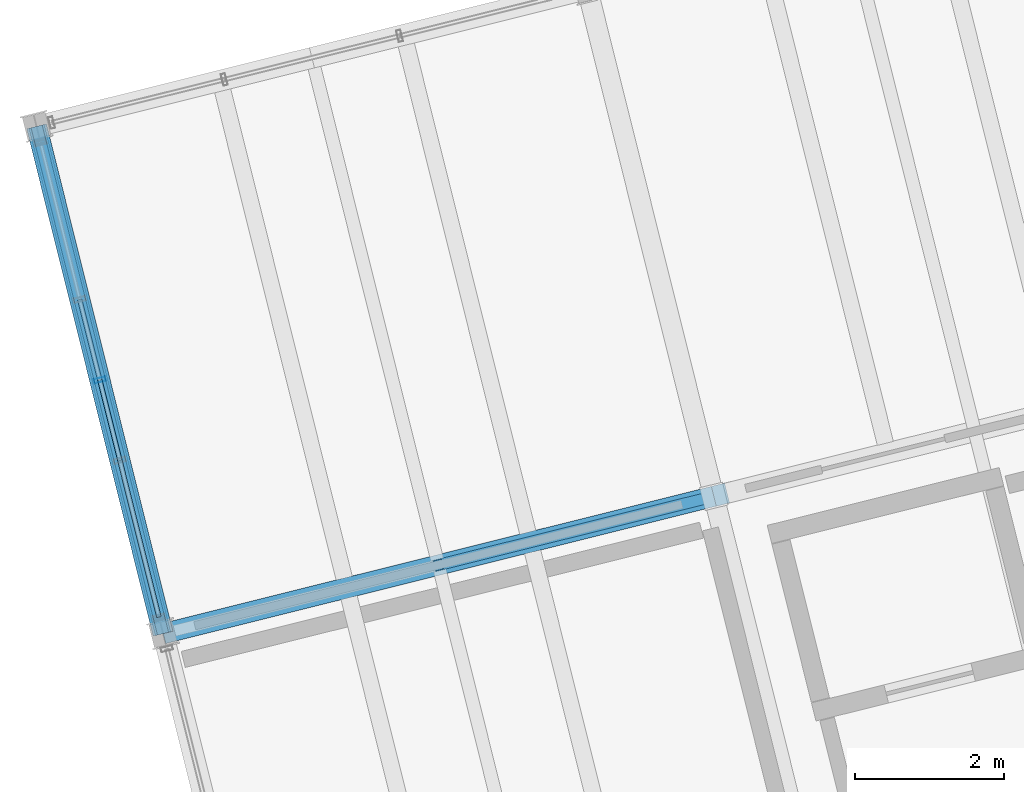
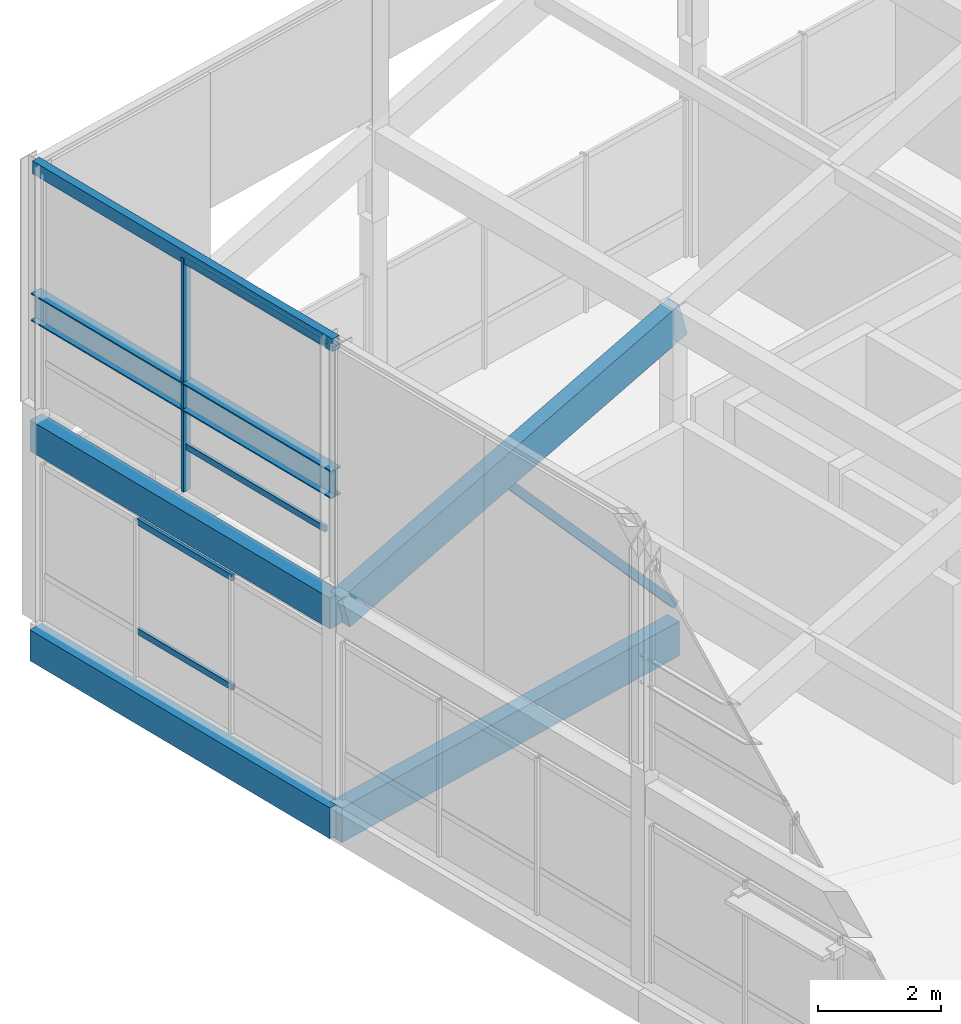
# One storey, part 13 of 31: 6 beams, 6 members, 2 elements without a shape of their own.
"""IFC4 building model written with IfcOpenShell, lengths in metres."""

from ifc_helpers import new_model, si_unit, direction, frame, origin, origin_2d, place, context, subcontext, project, spatial, rectangle, hollow_rectangle, i_section, extrude, material, layer, layer_set, material_profile, profile_set, type_object, element, aggregate, save


model = new_model("IFC4")

# Units and contexts
model_context = context("Model", 3, precision=1e-05, world=origin(), true_north=direction((0.0, 1.0)))
body_context = subcontext(model_context, "Body", "Model", "MODEL_VIEW")
ifc_project = project(units=[si_unit("LENGTHUNIT", "METRE"), si_unit("AREAUNIT", "SQUARE_METRE"), si_unit("VOLUMEUNIT", "CUBIC_METRE"), si_unit("PLANEANGLEUNIT", "RADIAN"), si_unit("MASSUNIT", "GRAM", prefix="KILO")], contexts=[model_context])

# Site, building, storey
site_placement = place(None, origin())
site = spatial("IfcSite", under=ifc_project, at=site_placement, CompositionType="ELEMENT")
building_placement = place(site_placement, origin())
building = spatial("IfcBuilding", under=site, at=building_placement, Name="Meriwether Solvik Hall", CompositionType="ELEMENT")
storey_placement = place(building_placement, frame((0.0, 0.0, 61.199951171875)))
storey = spatial("IfcBuildingStorey", under=building, at=storey_placement, Name="L15", CompositionType="ELEMENT", Elevation=61.199951171875)

# Beams
ifc_material_1 = material(Name="Glulam Douglas-Fir 24F-V8 GL28h", Category="wood")
ifc_material_profile_1 = material_profile(ifc_material_1, rectangle(XDim=0.27294921875, YDim=0.610107421875, at=origin_2d()), Name="GLB-273X610")
ifc_profile_set_1 = profile_set([ifc_material_profile_1], Name="Glulam Douglas-Fir 24F-V8 GL28h")
beam_type_1 = type_object("IfcBeamType", Name="BM-GL-273X610", PredefinedType="SPANDREL", material=ifc_profile_set_1)
for number, where, z_axis, x_axis, name in (
    (1, (63.51953125, 61.576171875, -0.550048828125), (-0.241911879182, 0.970298223594, 0.0), (-0.970298223594, -0.241911879182, 0.0), "Tower Girder T1:TD-TE (L15)"),
    (2, (63.51953125, 61.576171875, 3.59912109375), (-0.241911879182, 0.970298223594, 0.0), (-0.970298223594, -0.241911879182, 0.0), "Roof Tie Beam T1:TD-TE"),
):
    element("IfcBeam", number, at=place(storey_placement, frame(where, z_axis=z_axis, x_axis=x_axis)), inside=storey, type_object=beam_type_1, Name=name, PredefinedType="SPANDREL", context=body_context, shape_type="SweptSolid", body=[
        extrude(rectangle(XDim=0.27294921875, YDim=0.610107421875, at=origin_2d()), origin(), (0.0, 0.0, 1.0), 7.0),
    ])
ifc_material_2 = material(Name="Glulam Douglas-Fir 24F-V8 GL28h", Category="wood")
ifc_material_profile_2 = material_profile(ifc_material_2, rectangle(XDim=0.27294921875, YDim=0.68505859375, at=origin_2d()), Name="GLB-273X685")
ifc_profile_set_2 = profile_set([ifc_material_profile_2], Name="Glulam Douglas-Fir 24F-V8 GL28h")
beam_type_2 = type_object("IfcBeamType", Name="BM-GL-273X685", PredefinedType="BEAM", material=ifc_profile_set_2)
beam_1_placement = place(storey_placement, frame((63.51953125, 61.576171875, -0.58740234375), z_axis=(0.970295366785, 0.241923337436, 0.0), x_axis=(-0.241923337436, 0.970295366785, 0.0)))
element("IfcBeam", 3, at=beam_1_placement, inside=storey, type_object=beam_type_2, Name="Tower Girder TD:T1-T2 (L15)", PredefinedType="BEAM", context=body_context, shape_type="SweptSolid", body=[
    extrude(rectangle(XDim=0.27294921875, YDim=0.68505859375, at=origin_2d()), origin(), (0.0, 0.0, 1.0), 7.60009765625),
])
beam_2_placement = place(storey_placement, frame((63.6083984375, 61.598388671875, 3.573974609375), z_axis=(0.935075971335, 0.233142100319, 0.266978817308), x_axis=(-0.241923337436, 0.970295366785, 0.0)))
element("IfcBeam", 4, at=beam_2_placement, inside=storey, type_object=beam_type_2, Name="Sloped Roof Rafter TD:T1-T2", PredefinedType="BEAM", context=body_context, shape_type="SweptSolid", body=[
    extrude(rectangle(XDim=0.27294921875, YDim=0.68505859375, at=origin_2d()), origin(), (0.0, 0.0, 1.0), 7.88623046875),
])
ifc_material_3 = material(Name="Steel A500 Grade C", Category="steel")
ifc_material_profile_3 = material_profile(ifc_material_3, hollow_rectangle(XDim=0.152099609375, YDim=0.25390625, WallThickness=0.009521484375, at=origin_2d()), Name="HSS254X152X9.5")
ifc_profile_set_3 = profile_set([ifc_material_profile_3], Name="Steel A500 Grade C")
beam_type_3 = type_object("IfcBeamType", Name="BM-STL-HSS254", PredefinedType="SPANDREL", material=ifc_profile_set_3)
beam_3_placement = place(storey_placement, frame((61.826171875, 68.3681640625, 8.873046875), z_axis=(0.241911879182, -0.970298223594, 0.0), x_axis=(0.970298223594, 0.241911879182, 0.0)))
element("IfcBeam", 5, at=beam_3_placement, inside=storey, type_object=beam_type_3, Name="Crown Cap Ring Beam T1TE-T1TD", PredefinedType="SPANDREL", context=body_context, shape_type="SweptSolid", body=[
    extrude(hollow_rectangle(XDim=0.152099609375, YDim=0.25390625, WallThickness=0.009521484375, at=origin_2d()), origin(), (0.0, 0.0, 1.0), 7.0),
])
ifc_material_4 = material(Name="Steel A992 Grade 50", Category="steel")
ifc_material_profile_4 = material_profile(ifc_material_4, i_section(OverallWidth=0.214111328125, OverallDepth=0.549072265625, WebThickness=0.0146484375, FlangeThickness=0.023681640625, at=origin_2d()), Name="W21X93")
ifc_profile_set_4 = profile_set([ifc_material_profile_4], Name="Steel A992 Grade 50")
beam_type_4 = type_object("IfcBeamType", Name="BM-STL-W21X93", PredefinedType="SPANDREL", material=ifc_profile_set_4)
beam_4_placement = place(storey_placement, frame((61.826171875, 68.3681640625, 6.12548828125), z_axis=(0.241911879182, -0.970298223594, 0.0), x_axis=(0.970298223594, 0.241911879182, 0.0)))
element("IfcBeam", 6, at=beam_4_placement, inside=storey, type_object=beam_type_4, Name="Crown Wind Girt Beam T1TE-T1TD", PredefinedType="SPANDREL", context=body_context, shape_type="SweptSolid", body=[
    extrude(i_section(OverallWidth=0.214111328125, OverallDepth=0.549072265625, WebThickness=0.0146484375, FlangeThickness=0.023681640625, at=origin_2d()), origin(), (0.0, 0.0, 1.0), 7.0),
])

# Curtain wall, member
ifc_material_5 = material(Name="Thermally Broken Anodised Aluminium 6063-T6 and Low-E Glass", Category="aluminium")
ifc_layer_1 = layer(ifc_material_5, 0.179931640625)
ifc_layer_set_1 = layer_set([ifc_layer_1], Name="Thermally Broken Anodised Aluminium 6063-T6 and Low-E Glass")
curtain_wall_type_1 = type_object("IfcCurtainWallType", Name="CW-CROWN-GL", PredefinedType="USERDEFINED", material=ifc_layer_set_1)
curtain_wall_1_placement = place(storey_placement, origin())
curtain_wall_1 = element("IfcCurtainWall", 7, at=curtain_wall_1_placement, inside=storey, type_object=curtain_wall_type_1, Name="Curtain Wall crown_W_1 (L15)", ObjectType="UNITISED CURTAIN WALL", PredefinedType="USERDEFINED")
ifc_material_6 = material(Name="Anodised Aluminium 6063-T6", Category="aluminium")
ifc_material_profile_5 = material_profile(ifc_material_6, hollow_rectangle(XDim=0.06005859375, YDim=0.159912109375, WallThickness=0.00390625, at=origin_2d()), Name="CWM-60X160")
ifc_profile_set_5 = profile_set([ifc_material_profile_5], Name="Anodised Aluminium 6063-T6")
member_type_1 = type_object("IfcMemberType", Name="CW-MUL-60X160", PredefinedType="MULLION", material=ifc_profile_set_5)
member_1_placement = place(storey_placement, frame((62.6728515625, 64.97216796875, 4.219970703125), z_axis=(0.0, 0.0, 1.0), x_axis=(0.241921749537, -0.970295762694, 0.0)))
member_1 = element("IfcMember", 8, at=member_1_placement, type_object=member_type_1, Name="Curtain Wall Mullion 2", PredefinedType="MULLION", context=body_context, shape_type="SweptSolid", body=[
    extrude(hollow_rectangle(XDim=0.06005859375, YDim=0.159912109375, WallThickness=0.00390625, at=origin_2d()), origin(), (0.0, 0.0, 1.0), 4.630126953125),
])

# Curtain wall, members
ifc_material_7 = material(Name="Thermally Broken Anodised Aluminium 6063-T6 and Low-E Glass", Category="aluminium")
ifc_layer_2 = layer(ifc_material_7, 0.179931640625)
ifc_layer_set_2 = layer_set([ifc_layer_2], Name="Thermally Broken Anodised Aluminium 6063-T6 and Low-E Glass")
curtain_wall_type_2 = type_object("IfcCurtainWallType", Name="CW-UNIT-E", PredefinedType="USERDEFINED", material=ifc_layer_set_2)
curtain_wall_2_placement = place(storey_placement, origin())
curtain_wall_2 = element("IfcCurtainWall", 9, at=curtain_wall_2_placement, inside=storey, type_object=curtain_wall_type_2, Name="Curtain Wall E3_B3 (L15)", ObjectType="UNITISED CURTAIN WALL", PredefinedType="USERDEFINED")
ifc_material_8 = material(Name="Anodised Aluminium 6063-T6", Category="aluminium")
ifc_material_profile_6 = material_profile(ifc_material_8, hollow_rectangle(XDim=0.06005859375, YDim=0.1201171875, WallThickness=0.00390625, at=origin_2d()), Name="CWT-60X120")
ifc_profile_set_6 = profile_set([ifc_material_profile_6], Name="Anodised Aluminium 6063-T6")
member_type_2 = type_object("IfcMemberType", Name="CW-TRN-60X120", PredefinedType="USERDEFINED", material=ifc_profile_set_6)
member_2_placement = place(storey_placement, frame((62.94140625, 63.89501953125, 0.880126953125), z_axis=(-0.241888809617, 0.970303974939, 0.0), x_axis=(-0.970303974939, -0.241888809617, 0.0)))
member_2 = element("IfcMember", 10, at=member_2_placement, type_object=member_type_2, Name="Curtain Wall Transom 2-sill", ObjectType="TRANSOM", PredefinedType="USERDEFINED", context=body_context, shape_type="SweptSolid", body=[
    extrude(hollow_rectangle(XDim=0.06005859375, YDim=0.1201171875, WallThickness=0.00390625, at=origin_2d()), origin(), (0.0, 0.0, 1.0), 2.220458984375),
])
member_3_placement = place(storey_placement, frame((62.94140625, 63.89501953125, 3.0419921875), z_axis=(-0.241888809617, 0.970303974939, 0.0), x_axis=(-0.970303974939, -0.241888809617, 0.0)))
member_3 = element("IfcMember", 11, at=member_3_placement, type_object=member_type_2, Name="Curtain Wall Transom 2-head", ObjectType="TRANSOM", PredefinedType="USERDEFINED", context=body_context, shape_type="SweptSolid", body=[
    extrude(hollow_rectangle(XDim=0.06005859375, YDim=0.1201171875, WallThickness=0.00390625, at=origin_2d()), origin(), (0.0, 0.0, 1.0), 2.220458984375),
])
aggregate(curtain_wall_2, [member_2, member_3])

# Member
member_4_placement = place(storey_placement, frame((62.6728515625, 64.97216796875, 5.10009765625), z_axis=(0.24197378349, -0.970282787698, 0.0), x_axis=(0.970282787698, 0.24197378349, 0.0)))
member_4 = element("IfcMember", 12, at=member_4_placement, type_object=member_type_2, Name="Curtain Wall Transom 2-sill", ObjectType="TRANSOM", PredefinedType="USERDEFINED", context=body_context, shape_type="SweptSolid", body=[
    extrude(hollow_rectangle(XDim=0.06005859375, YDim=0.1201171875, WallThickness=0.00390625, at=origin_2d()), origin(), (0.0, 0.0, 1.0), 3.27197265625),
])

member_5_placement = place(storey_placement, frame((62.6728515625, 64.97216796875, 8.7900390625), z_axis=(0.24197378349, -0.970282787698, 0.0), x_axis=(0.970282787698, 0.24197378349, 0.0)))
member_5 = element("IfcMember", 13, at=member_5_placement, type_object=member_type_2, Name="Curtain Wall Transom 2-head", ObjectType="TRANSOM", PredefinedType="USERDEFINED", context=body_context, shape_type="SweptSolid", body=[
    extrude(hollow_rectangle(XDim=0.06005859375, YDim=0.1201171875, WallThickness=0.00390625, at=origin_2d()), origin(), (0.0, 0.0, 1.0), 3.27197265625),
])

aggregate(curtain_wall_1, [member_1, member_4, member_5])

ifc_material_9 = material(Name="Steel A500 Grade C", Category="steel")
ifc_material_profile_7 = material_profile(ifc_material_9, hollow_rectangle(XDim=0.152099609375, YDim=0.152099609375, WallThickness=0.009521484375, at=origin_2d()), Name="HSS152X152X9.5")
ifc_profile_set_7 = profile_set([ifc_material_profile_7], Name="Steel A500 Grade C")
member_type_3 = type_object("IfcMemberType", Name="MEM-BR-HSS152", PredefinedType="BRACE", material=ifc_profile_set_7)
member_6_placement = place(storey_placement, frame((70.893798828125, 63.414794921875, 0.050048828125), z_axis=(-0.645739940281, -0.160986020074, 0.746393616577), x_axis=(0.241900633533, -0.970301027257, 0.0)))
element("IfcMember", 14, at=member_6_placement, inside=storey, type_object=member_type_3, Name="Tower Chevron Brace L15-B2B", PredefinedType="BRACE", context=body_context, shape_type="SweptSolid", body=[
    extrude(hollow_rectangle(XDim=0.152099609375, YDim=0.152099609375, WallThickness=0.009521484375, at=origin_2d()), origin(), (0.0, 0.0, 1.0), 5.709716796875),
])

save(model, "model.ifc")
